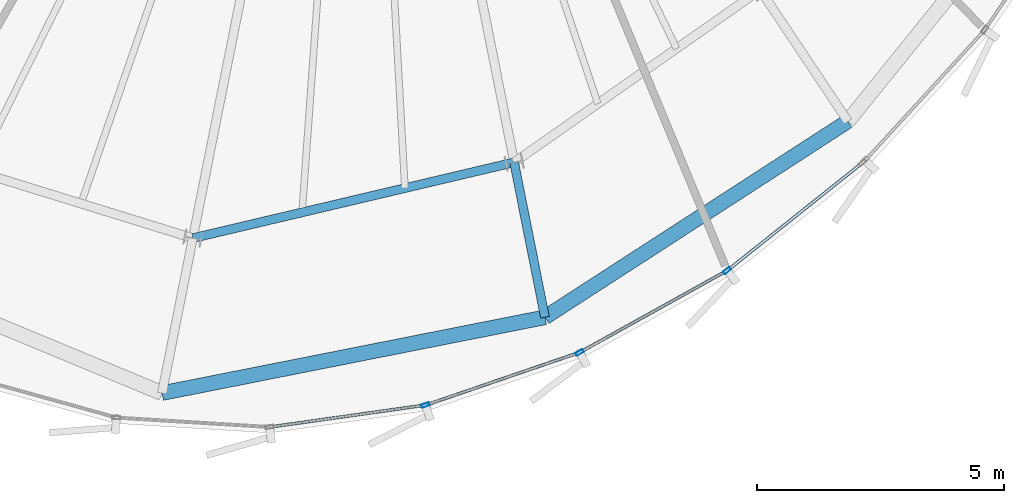
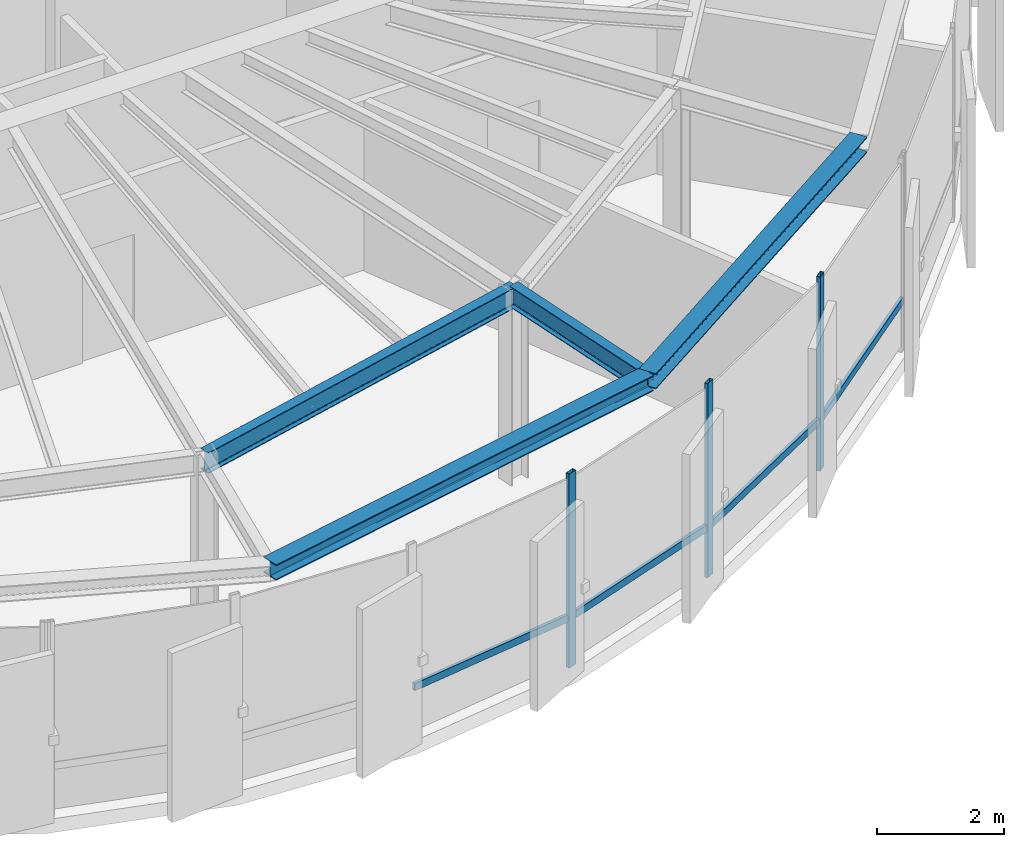
# One storey, part 6 of 27: 7 members, 4 beams, 1 element without a shape of its own.
"""IFC4 building model written with IfcOpenShell, lengths in metres."""

from ifc_helpers import new_model, si_unit, direction, frame, origin, origin_2d, place, context, subcontext, project, spatial, hollow_rectangle, i_section, extrude, source, transform, mapped, material, layer, layer_set, material_profile, profile_set, type_object, element, aggregate, save


model = new_model("IFC4")

# Units and contexts
model_context = context("Model", 3, precision=1e-05, world=origin(), true_north=direction((0.0, 1.0)))
body_context = subcontext(model_context, "Body", "Model", "MODEL_VIEW")
ifc_project = project(units=[si_unit("LENGTHUNIT", "METRE"), si_unit("AREAUNIT", "SQUARE_METRE"), si_unit("VOLUMEUNIT", "CUBIC_METRE"), si_unit("PLANEANGLEUNIT", "RADIAN"), si_unit("MASSUNIT", "GRAM", prefix="KILO"), si_unit("THERMODYNAMICTEMPERATUREUNIT", "KELVIN")], contexts=[model_context])

# Site, building, storey
site_placement = place(None, origin())
site = spatial("IfcSite", under=ifc_project, at=site_placement, CompositionType="ELEMENT")
building_placement = place(site_placement, origin())
building = spatial("IfcBuilding", under=site, at=building_placement, Name="Kethvar Cultural Tower", CompositionType="ELEMENT")
storey_placement = place(building_placement, frame((0.0, 0.0, 308.300048828125)))
storey = spatial("IfcBuildingStorey", under=building, at=storey_placement, Name="L82", CompositionType="ELEMENT", Elevation=308.300048828125)

# Beams
ifc_material_1 = material(Name="Steel S355J2", Category="steel")
ifc_material_profile_1 = material_profile(ifc_material_1, i_section(OverallWidth=0.179931640625, OverallDepth=0.39990234375, WebThickness=0.008544921875, FlangeThickness=0.013427734375, FilletRadius=0.02099609375, at=origin_2d()), Name="Steel S355J2 — IPE400")
ifc_profile_set_1 = profile_set([ifc_material_profile_1], Name="Steel S355J2 — IPE400")
beam_type_1 = type_object("IfcBeamType", Name="BM-IPE400", PredefinedType="BEAM", material=ifc_profile_set_1)
shared_shape_1 = source(origin(), body_context, "Body", "SweptSolid", [
    extrude(i_section(OverallWidth=0.179931640625, OverallDepth=0.39990234375, WebThickness=0.008544921875, FlangeThickness=0.013427734375, FilletRadius=0.02099609375, at=origin_2d()), origin(), (0.0, 0.0, 1.0), 3.199951171875),
])
beam_1_placement = place(storey_placement, frame((49.901611328125, 12.206787109375, 3.532958984375), z_axis=(0.195088965533, -0.980785550224, 0.0), x_axis=(0.980785550224, 0.195088965533, 0.0)))
element("IfcBeam", 1, at=beam_1_placement, inside=storey, type_object=beam_type_1, Name="L82 Perimeter Cantilever Beam RC-13", PredefinedType="BEAM", context=body_context, shape_type="MappedRepresentation", body=[
    mapped(shared_shape_1, transform((0.0, 0.0, 0.0), scale=1.0)),
])
shared_shape_2 = source(origin(), body_context, "Body", "SweptSolid", [
    extrude(i_section(OverallWidth=0.179931640625, OverallDepth=0.39990234375, WebThickness=0.008544921875, FlangeThickness=0.013427734375, FilletRadius=0.02099609375, at=origin_2d()), origin(), (0.0, 0.0, 1.0), 6.6875),
])
beam_2_placement = place(storey_placement, frame((43.392822265625, 10.67138671875, 3.532958984375), z_axis=(0.973286301494, 0.22959480683, 0.0), x_axis=(-0.22959480683, 0.973286301494, 0.0)))
element("IfcBeam", 2, at=beam_2_placement, inside=storey, type_object=beam_type_1, Name="L82 Column Ring Tie Beam CR-12", PredefinedType="BEAM", context=body_context, shape_type="MappedRepresentation", body=[
    mapped(shared_shape_2, transform((0.0, 0.0, 0.0), scale=1.0)),
])
ifc_material_profile_2 = material_profile(ifc_material_1, i_section(OverallWidth=0.300048828125, OverallDepth=0.300048828125, WebThickness=0.010986328125, FlangeThickness=0.01904296875, FilletRadius=0.027099609375, at=origin_2d()), Name="Steel S355J2 — HEB300")
ifc_profile_set_2 = profile_set([ifc_material_profile_2], Name="Steel S355J2 — HEB300")
beam_type_2 = type_object("IfcBeamType", Name="BM-SP300", PredefinedType="SPANDREL", material=ifc_profile_set_2)
shared_shape_3 = source(origin(), body_context, "Body", "SweptSolid", [
    extrude(i_section(OverallWidth=0.300048828125, OverallDepth=0.300048828125, WebThickness=0.010986328125, FlangeThickness=0.01904296875, FilletRadius=0.027099609375, at=origin_2d()), origin(), (0.0, 0.0, 1.0), 7.907958984375),
])
beam_3_placement = place(storey_placement, frame((42.7685546875, 7.53271484375, 3.5830078125), z_axis=(0.980963515828, 0.194192122948, 0.0), x_axis=(-0.194192122948, 0.980963515828, 0.0)))
element("IfcBeam", 3, at=beam_3_placement, inside=storey, type_object=beam_type_2, Name="L82 Perimeter Spandrel Beam SP-12", PredefinedType="SPANDREL", context=body_context, shape_type="MappedRepresentation", body=[
    mapped(shared_shape_3, transform((0.0, 0.0, 0.0), scale=1.0)),
])
shared_shape_4 = source(origin(), body_context, "Body", "SweptSolid", [
    extrude(i_section(OverallWidth=0.300048828125, OverallDepth=0.300048828125, WebThickness=0.010986328125, FlangeThickness=0.01904296875, FilletRadius=0.027099609375, at=origin_2d()), origin(), (0.0, 0.0, 1.0), 7.309326171875),
])
beam_4_placement = place(storey_placement, frame((50.52587890625, 9.068359375, 3.5830078125), z_axis=(0.839562091992, 0.543263742292, 0.0), x_axis=(-0.543263742292, 0.839562091992, 0.0)))
element("IfcBeam", 4, at=beam_4_placement, inside=storey, type_object=beam_type_2, Name="L82 Perimeter Spandrel Beam SP-13", PredefinedType="SPANDREL", context=body_context, shape_type="MappedRepresentation", body=[
    mapped(shared_shape_4, transform((0.0, 0.0, 0.0), scale=1.0)),
])

# Curtain wall, members
ifc_material_2 = material(Name="Aluminium 6063-T6", Category="aluminium")
ifc_layer = layer(ifc_material_2, 0.179931640625, Name="Aluminium 6063-T6", Category="aluminium")
ifc_layer_set = layer_set([ifc_layer], Name="Aluminium 6063-T6 (180 mm)")
curtain_wall_type = type_object("IfcCurtainWallType", Name="CW-SYS-06-CROWN", PredefinedType="NOTDEFINED", material=ifc_layer_set)
curtain_wall_placement = place(storey_placement, origin())
curtain_wall = element("IfcCurtainWall", 5, at=curtain_wall_placement, inside=storey, type_object=curtain_wall_type, Name="L82 Curtain Wall Run 04", PredefinedType="NOTDEFINED")
ifc_material_profile_3 = material_profile(ifc_material_2, hollow_rectangle(XDim=0.06494140625, YDim=0.159912109375, WallThickness=0.0048828125, at=origin_2d()), Name="Aluminium 6063-T6 — RHS160x65x5")
ifc_profile_set_3 = profile_set([ifc_material_profile_3], Name="Aluminium 6063-T6 — RHS160x65x5")
member_type_1 = type_object("IfcMemberType", Name="CW-SYS-06-CROWN-MUL", PredefinedType="MULLION", material=ifc_profile_set_3)
shared_shape_5 = source(origin(), body_context, "Body", "SweptSolid", [
    extrude(hollow_rectangle(XDim=0.06494140625, YDim=0.159912109375, WallThickness=0.0048828125, at=origin_2d()), origin(), (0.0, 0.0, 1.0), 3.73486328125),
])
member_1_placement = place(storey_placement, frame((48.10498046875, 7.28759765625, 0.0), z_axis=(0.0, 0.0, 1.0), x_axis=(-0.32395044261, 0.9460740514, 0.0)))
member_1 = element("IfcMember", 6, at=member_1_placement, type_object=member_type_1, Name="CW-L82-R04 Mullion 4", PredefinedType="MULLION", context=body_context, shape_type="MappedRepresentation", body=[
    mapped(shared_shape_5, transform((0.0, 0.0, 0.0), scale=1.0)),
])
member_2_placement = place(storey_placement, frame((51.2275390625, 8.354736328125, 0.0), z_axis=(0.0, 0.0, 1.0), x_axis=(-0.485664228187, 0.874145444111, 0.0)))
member_2 = element("IfcMember", 7, at=member_2_placement, type_object=member_type_1, Name="CW-L82-R04 Mullion 5", PredefinedType="MULLION", context=body_context, shape_type="MappedRepresentation", body=[
    mapped(shared_shape_5, transform((0.0, 0.0, 0.0), scale=1.0)),
])
member_3_placement = place(storey_placement, frame((54.216552734375, 10.013671875, 0.0), z_axis=(0.0, 0.0, 1.0), x_axis=(-0.623101802102, 0.782140744507, 0.0)))
member_3 = element("IfcMember", 8, at=member_3_placement, type_object=member_type_1, Name="CW-L82-R04 Mullion 6", PredefinedType="MULLION", context=body_context, shape_type="MappedRepresentation", body=[
    mapped(shared_shape_5, transform((0.0, 0.0, 0.0), scale=1.0)),
])
ifc_material_profile_4 = material_profile(ifc_material_2, hollow_rectangle(XDim=0.06005859375, YDim=0.139892578125, WallThickness=0.0048828125, at=origin_2d()), Name="Aluminium 6063-T6 — RHS140x60x5")
ifc_profile_set_4 = profile_set([ifc_material_profile_4], Name="Aluminium 6063-T6 — RHS140x60x5")
member_type_2 = type_object("IfcMemberType", Name="CW-SYS-06-CROWN-TRN", PredefinedType="USERDEFINED", material=ifc_profile_set_4)
shared_shape_6 = source(origin(), body_context, "Body", "SweptSolid", [
    extrude(hollow_rectangle(XDim=0.06005859375, YDim=0.139892578125, WallThickness=0.0048828125, at=origin_2d()), origin(), (0.0, 0.0, 1.0), 3.458251953125),
])
member_4_placement = place(storey_placement, frame((54.253173828125, 10.042724609375, 0.949951171875), z_axis=(0.782148251429, 0.623092379015, 0.0), x_axis=(-0.623092379015, 0.782148251429, 0.0)))
member_4 = element("IfcMember", 9, at=member_4_placement, type_object=member_type_2, Name="CW-L82-R04 Transom 6", ObjectType="TRANSOM", PredefinedType="USERDEFINED", context=body_context, shape_type="MappedRepresentation", body=[
    mapped(shared_shape_6, transform((0.0, 0.0, 0.0), scale=1.0)),
])
shared_shape_7 = source(origin(), body_context, "Body", "SweptSolid", [
    extrude(hollow_rectangle(XDim=0.06005859375, YDim=0.139892578125, WallThickness=0.0048828125, at=origin_2d()), origin(), (0.0, 0.0, 1.0), 3.3447265625),
])
member_5_placement = place(storey_placement, frame((51.268310546875, 8.37744140625, 0.949951171875), z_axis=(0.874136617586, 0.485680114681, 0.0), x_axis=(-0.485680114681, 0.874136617586, 0.0)))
member_5 = element("IfcMember", 10, at=member_5_placement, type_object=member_type_2, Name="CW-L82-R04 Transom 5", ObjectType="TRANSOM", PredefinedType="USERDEFINED", context=body_context, shape_type="MappedRepresentation", body=[
    mapped(shared_shape_7, transform((0.0, 0.0, 0.0), scale=1.0)),
])
shared_shape_8 = source(origin(), body_context, "Body", "SweptSolid", [
    extrude(hollow_rectangle(XDim=0.06005859375, YDim=0.139892578125, WallThickness=0.0048828125, at=origin_2d()), origin(), (0.0, 0.0, 1.0), 3.120361328125),
])
member_6_placement = place(storey_placement, frame((44.990966796875, 6.850341796875, 0.949951171875), z_axis=(0.990189031731, 0.139734324484, 0.0), x_axis=(-0.139734324484, 0.990189031731, 0.0)))
member_6 = element("IfcMember", 11, at=member_6_placement, type_object=member_type_2, Name="CW-L82-R04 Transom 3", ObjectType="TRANSOM", PredefinedType="USERDEFINED", context=body_context, shape_type="MappedRepresentation", body=[
    mapped(shared_shape_8, transform((0.0, 0.0, 0.0), scale=1.0)),
])
shared_shape_9 = source(origin(), body_context, "Body", "SweptSolid", [
    extrude(hollow_rectangle(XDim=0.06005859375, YDim=0.139892578125, WallThickness=0.0048828125, at=origin_2d()), origin(), (0.0, 0.0, 1.0), 3.227294921875),
])
member_7_placement = place(storey_placement, frame((48.1494140625, 7.302734375, 0.949951171875), z_axis=(0.946056627863, 0.324001322336, 0.0), x_axis=(-0.324001322336, 0.946056627863, 0.0)))
member_7 = element("IfcMember", 12, at=member_7_placement, type_object=member_type_2, Name="CW-L82-R04 Transom 4", ObjectType="TRANSOM", PredefinedType="USERDEFINED", context=body_context, shape_type="MappedRepresentation", body=[
    mapped(shared_shape_9, transform((0.0, 0.0, 0.0), scale=1.0)),
])
aggregate(curtain_wall, [member_1, member_2, member_3, member_6, member_7, member_5, member_4])

save(model, "model.ifc")
